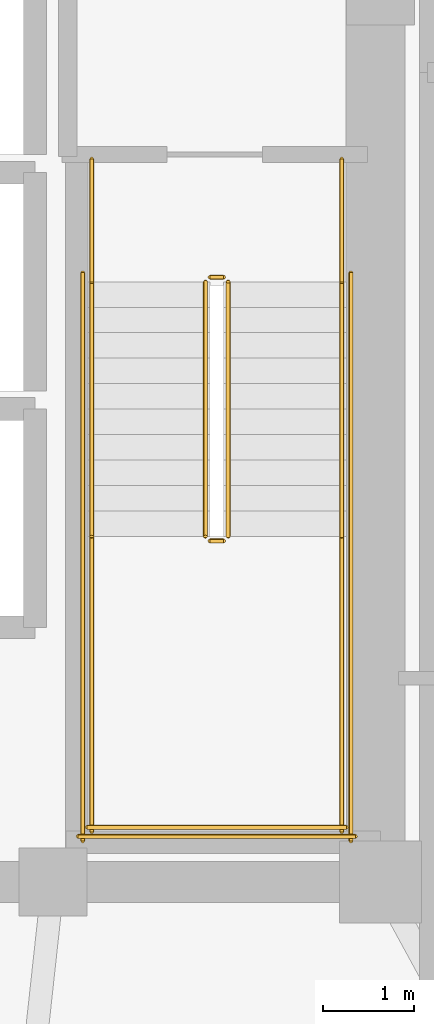
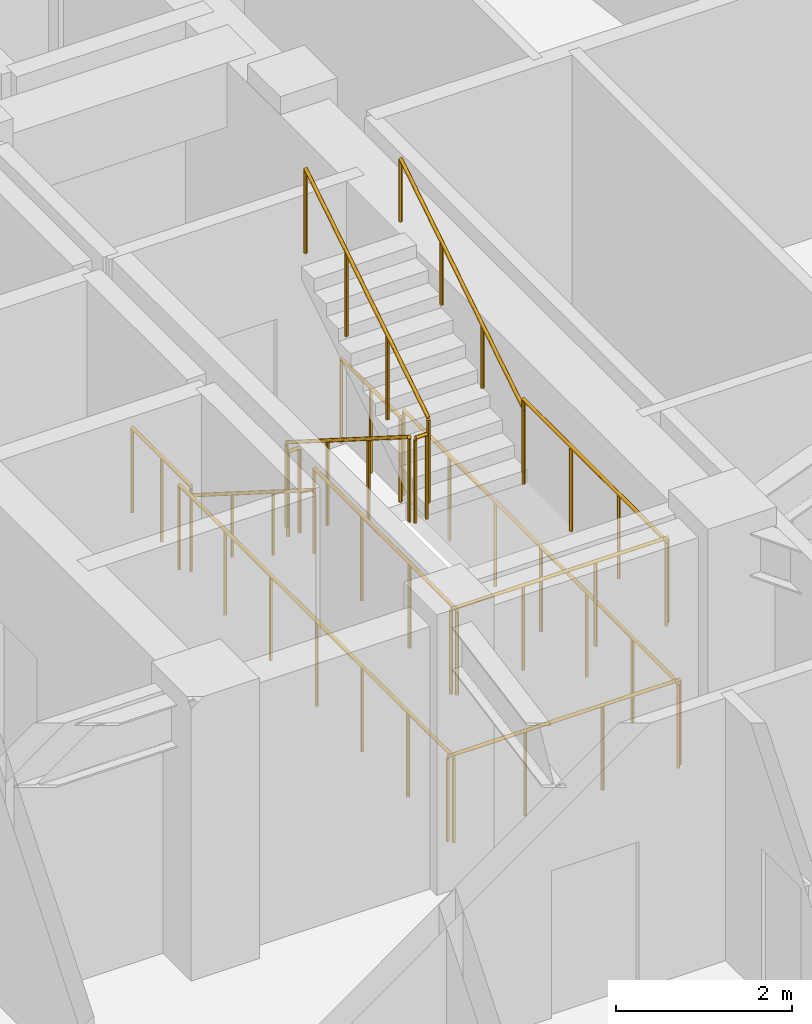
# One storey, part 11 of 11: 14 railings.
"""IFC4 building model written with IfcOpenShell, lengths in metres."""

from ifc_helpers import new_model, si_unit, direction, frame, origin, origin_2d, place, context, subcontext, project, spatial, circle, extrude, material, type_object, element, save


model = new_model("IFC4")

# Units and contexts
model_context = context("Model", 3, precision=1e-05, world=origin(), true_north=direction((0.0, 1.0)))
body_context = subcontext(model_context, "Body", "Model", "MODEL_VIEW")
ifc_project = project(units=[si_unit("LENGTHUNIT", "METRE"), si_unit("AREAUNIT", "SQUARE_METRE"), si_unit("VOLUMEUNIT", "CUBIC_METRE"), si_unit("PLANEANGLEUNIT", "RADIAN"), si_unit("MASSUNIT", "GRAM", prefix="KILO")], contexts=[model_context])

# Site, building, storey
site_placement = place(None, origin())
site = spatial("IfcSite", under=ifc_project, at=site_placement, CompositionType="ELEMENT")
building_placement = place(site_placement, origin())
building = spatial("IfcBuilding", under=site, at=building_placement, Name="Voryun Gate Residences", CompositionType="ELEMENT")
storey_placement = place(building_placement, frame((0.0, 0.0, 163.800048828125)))
storey = spatial("IfcBuildingStorey", under=building, at=storey_placement, Name="L40", CompositionType="ELEMENT", Elevation=163.800048828125)

# Railings
ifc_material_1 = material(Name="Painted steel", Category="steel")
railing_type_1 = type_object("IfcRailingType", Name="RAIL_STAIR_GUARD_1200", PredefinedType="GUARDRAIL", material=ifc_material_1)
railing_1_placement = place(storey_placement, frame((17.27490234375, -0.800048828125, 0.17724609375)))
element("IfcRailing", 1, at=railing_1_placement, inside=storey, type_object=railing_type_1, Name="L40 ST-E1 stair guard 1", PredefinedType="GUARDRAIL", context=body_context, shape_type="SweptSolid", body=[
    extrude(circle(Radius=0.02392578125, at=origin_2d()), frame((0.0, 0.0, 1.17578125), z_axis=(0.0, -0.844908973607, 0.534910110503), x_axis=(1.0, 0.0, 0.0)), (0.0, 0.0, 1.0), 3.31396484375),
    extrude(circle(Radius=0.02099609375, at=origin_2d()), origin(), (0.0, 0.0, 1.0), 1.15185546875),
    extrude(circle(Radius=0.02099609375, at=origin_2d()), frame((0.0, -0.933349609375, 0.5908203125)), (0.0, 0.0, 1.0), 1.15185546875),
    extrude(circle(Radius=0.02099609375, at=origin_2d()), frame((0.0, -1.86669921875, 1.181884765625)), (0.0, 0.0, 1.0), 1.15185546875),
    extrude(circle(Radius=0.02099609375, at=origin_2d()), frame((0.0, -2.800048828125, 1.772705078125)), (0.0, 0.0, 1.0), 1.15185546875),
])
railing_2_placement = place(storey_placement, frame((17.324951171875, -3.64990234375, 1.949951171875)))
element("IfcRailing", 2, at=railing_2_placement, inside=storey, type_object=railing_type_1, Name="L40 ST-E1 stair guard 2", PredefinedType="GUARDRAIL", context=body_context, shape_type="SweptSolid", body=[
    extrude(circle(Radius=0.02392578125, at=origin_2d()), frame((0.0, 0.0, 1.17578125), z_axis=(1.0, 0.0, 0.0), x_axis=(0.0, 1.0, 0.0)), (0.0, 0.0, 1.0), 0.150146484375),
    extrude(circle(Radius=0.02099609375, at=origin_2d()), origin(), (0.0, 0.0, 1.0), 1.15185546875),
    extrude(circle(Radius=0.02099609375, at=origin_2d()), frame((0.150146484375, 0.0, 0.0)), (0.0, 0.0, 1.0), 1.15185546875),
])
for number, where, name in (
    (3, (16.02490234375, -3.60009765625, 1.949951171875), "L40 ST-E1 stair guard 3"),
    (4, (18.77490234375, -3.60009765625, 1.949951171875), "L40 ST-E1 stair guard 4"),
):
    element("IfcRailing", number, at=place(storey_placement, frame(where)), inside=storey, type_object=railing_type_1, Name=name, PredefinedType="GUARDRAIL", context=body_context, shape_type="SweptSolid", body=[
        extrude(circle(Radius=0.02392578125, at=origin_2d()), frame((0.0, 0.0, 1.17578125), z_axis=(0.0, -1.0, 0.0), x_axis=(1.0, 0.0, 0.0)), (0.0, 0.0, 1.0), 3.25),
        extrude(circle(Radius=0.02099609375, at=origin_2d()), origin(), (0.0, 0.0, 1.0), 1.15185546875),
        extrude(circle(Radius=0.02099609375, at=origin_2d()), frame((0.0, -1.083251953125, 0.0)), (0.0, 0.0, 1.0), 1.15185546875),
        extrude(circle(Radius=0.02099609375, at=origin_2d()), frame((0.0, -2.166748046875, 0.0)), (0.0, 0.0, 1.0), 1.15185546875),
        extrude(circle(Radius=0.02099609375, at=origin_2d()), frame((0.0, -3.25, 0.0)), (0.0, 0.0, 1.0), 1.15185546875),
    ])
railing_3_placement = place(storey_placement, frame((15.97509765625, -6.800048828125, 1.949951171875)))
element("IfcRailing", 5, at=railing_3_placement, inside=storey, type_object=railing_type_1, Name="L40 ST-E1 stair guard 5", PredefinedType="GUARDRAIL", context=body_context, shape_type="SweptSolid", body=[
    extrude(circle(Radius=0.02392578125, at=origin_2d()), frame((0.0, 0.0, 1.17578125), z_axis=(1.0, 0.0, 0.0), x_axis=(0.0, 1.0, 0.0)), (0.0, 0.0, 1.0), 2.849853515625),
    extrude(circle(Radius=0.02099609375, at=origin_2d()), origin(), (0.0, 0.0, 1.0), 1.15185546875),
    extrude(circle(Radius=0.02099609375, at=origin_2d()), frame((0.949951171875, 0.0, 0.0)), (0.0, 0.0, 1.0), 1.15185546875),
    extrude(circle(Radius=0.02099609375, at=origin_2d()), frame((1.89990234375, 0.0, 0.0)), (0.0, 0.0, 1.0), 1.15185546875),
    extrude(circle(Radius=0.02099609375, at=origin_2d()), frame((2.849853515625, 0.0, 0.0)), (0.0, 0.0, 1.0), 1.15185546875),
])
railing_4_placement = place(storey_placement, frame((17.52490234375, -3.60009765625, 2.127197265625)))
element("IfcRailing", 6, at=railing_4_placement, inside=storey, type_object=railing_type_1, Name="L40 ST-E1 stair guard 6", PredefinedType="GUARDRAIL", context=body_context, shape_type="SweptSolid", body=[
    extrude(circle(Radius=0.02392578125, at=origin_2d()), frame((0.0, 0.0, 1.17578125), z_axis=(0.0, 0.844908973607, 0.534910110503), x_axis=(-1.0, 0.0, 0.0)), (0.0, 0.0, 1.0), 3.31396484375),
    extrude(circle(Radius=0.02099609375, at=origin_2d()), origin(), (0.0, 0.0, 1.0), 1.15185546875),
    extrude(circle(Radius=0.02099609375, at=origin_2d()), frame((0.0, 0.933349609375, 0.5908203125)), (0.0, 0.0, 1.0), 1.15185546875),
    extrude(circle(Radius=0.02099609375, at=origin_2d()), frame((0.0, 1.86669921875, 1.181884765625)), (0.0, 0.0, 1.0), 1.15185546875),
    extrude(circle(Radius=0.02099609375, at=origin_2d()), frame((0.0, 2.800048828125, 1.772705078125)), (0.0, 0.0, 1.0), 1.15185546875),
])
railing_5_placement = place(storey_placement, frame((17.324951171875, -0.75, 0.0)))
element("IfcRailing", 7, at=railing_5_placement, inside=storey, type_object=railing_type_1, Name="L40 ST-E1 stair guard 7", PredefinedType="GUARDRAIL", context=body_context, shape_type="SweptSolid", body=[
    extrude(circle(Radius=0.02392578125, at=origin_2d()), frame((0.0, 0.0, 1.17578125), z_axis=(1.0, 0.0, 0.0), x_axis=(0.0, 1.0, 0.0)), (0.0, 0.0, 1.0), 0.150146484375),
    extrude(circle(Radius=0.02099609375, at=origin_2d()), origin(), (0.0, 0.0, 1.0), 1.15185546875),
    extrude(circle(Radius=0.02099609375, at=origin_2d()), frame((0.150146484375, 0.0, 0.0)), (0.0, 0.0, 1.0), 1.15185546875),
])
for number, where, name in (
    (8, (16.02490234375, 0.550048828125, 0.0), "L40 ST-E1 stair guard 8"),
    (9, (18.77490234375, 0.550048828125, 0.0), "L40 ST-E1 stair guard 9"),
):
    element("IfcRailing", number, at=place(storey_placement, frame(where)), inside=storey, type_object=railing_type_1, Name=name, PredefinedType="GUARDRAIL", context=body_context, shape_type="SweptSolid", body=[
        extrude(circle(Radius=0.02392578125, at=origin_2d()), frame((0.0, 0.0, 1.17578125), z_axis=(0.0, -1.0, 0.0), x_axis=(1.0, 0.0, 0.0)), (0.0, 0.0, 1.0), 1.35009765625),
        extrude(circle(Radius=0.02099609375, at=origin_2d()), origin(), (0.0, 0.0, 1.0), 1.15185546875),
        extrude(circle(Radius=0.02099609375, at=origin_2d()), frame((0.0, -0.675048828125, 0.0)), (0.0, 0.0, 1.0), 1.15185546875),
        extrude(circle(Radius=0.02099609375, at=origin_2d()), frame((0.0, -1.35009765625, 0.0)), (0.0, 0.0, 1.0), 1.15185546875),
    ])
for number, where, name in (
    (10, (15.925048828125, -0.699951171875, 0.0), "L40 ST-E1 stair guard 10"),
    (11, (18.875, -0.699951171875, 0.0), "L40 ST-E1 stair guard 11"),
):
    element("IfcRailing", number, at=place(storey_placement, frame(where)), inside=storey, type_object=railing_type_1, Name=name, PredefinedType="GUARDRAIL", context=body_context, shape_type="SweptSolid", body=[
        extrude(circle(Radius=0.02392578125, at=origin_2d()), frame((0.0, 0.0, 1.17578125), z_axis=(0.0, -1.0, 0.0), x_axis=(1.0, 0.0, 0.0)), (0.0, 0.0, 1.0), 6.25),
        extrude(circle(Radius=0.02099609375, at=origin_2d()), origin(), (0.0, 0.0, 1.0), 1.15185546875),
        extrude(circle(Radius=0.02099609375, at=origin_2d()), frame((0.0, -1.041748046875, 0.0)), (0.0, 0.0, 1.0), 1.15185546875),
        extrude(circle(Radius=0.02099609375, at=origin_2d()), frame((0.0, -2.083251953125, 0.0)), (0.0, 0.0, 1.0), 1.15185546875),
        extrude(circle(Radius=0.02099609375, at=origin_2d()), frame((0.0, -3.125, 0.0)), (0.0, 0.0, 1.0), 1.15185546875),
        extrude(circle(Radius=0.02099609375, at=origin_2d()), frame((0.0, -4.166748046875, 0.0)), (0.0, 0.0, 1.0), 1.15185546875),
        extrude(circle(Radius=0.02099609375, at=origin_2d()), frame((0.0, -5.208251953125, 0.0)), (0.0, 0.0, 1.0), 1.15185546875),
        extrude(circle(Radius=0.02099609375, at=origin_2d()), frame((0.0, -6.25, 0.0)), (0.0, 0.0, 1.0), 1.15185546875),
    ])
railing_6_placement = place(storey_placement, frame((15.875, -6.89990234375, 0.0)))
element("IfcRailing", 12, at=railing_6_placement, inside=storey, type_object=railing_type_1, Name="L40 ST-E1 stair guard 12", PredefinedType="GUARDRAIL", context=body_context, shape_type="SweptSolid", body=[
    extrude(circle(Radius=0.02392578125, at=origin_2d()), frame((0.0, 0.0, 1.17578125), z_axis=(1.0, 0.0, 0.0), x_axis=(0.0, 1.0, 0.0)), (0.0, 0.0, 1.0), 3.050048828125),
    extrude(circle(Radius=0.02099609375, at=origin_2d()), origin(), (0.0, 0.0, 1.0), 1.15185546875),
    extrude(circle(Radius=0.02099609375, at=origin_2d()), frame((1.0166015625, 0.0, 0.0)), (0.0, 0.0, 1.0), 1.15185546875),
    extrude(circle(Radius=0.02099609375, at=origin_2d()), frame((2.033447265625, 0.0, 0.0)), (0.0, 0.0, 1.0), 1.15185546875),
    extrude(circle(Radius=0.02099609375, at=origin_2d()), frame((3.050048828125, 0.0, 0.0)), (0.0, 0.0, 1.0), 1.15185546875),
])
ifc_material_2 = material(Name="Painted steel", Category="steel")
railing_type_2 = type_object("IfcRailingType", Name="RAIL_STAIR_HANDRAIL_900", PredefinedType="HANDRAIL", material=ifc_material_2)
railing_7_placement = place(storey_placement, frame((16.02490234375, -0.800048828125, 0.17724609375)))
element("IfcRailing", 13, at=railing_7_placement, inside=storey, type_object=railing_type_2, Name="L40 ST-E1 stair handrail 1", PredefinedType="HANDRAIL", context=body_context, shape_type="SweptSolid", body=[
    extrude(circle(Radius=0.02392578125, at=origin_2d()), frame((0.0, 0.0, 0.8759765625), z_axis=(0.0, -0.844908973607, 0.534910110503), x_axis=(1.0, 0.0, 0.0)), (0.0, 0.0, 1.0), 3.31396484375),
    extrude(circle(Radius=0.02099609375, at=origin_2d()), origin(), (0.0, 0.0, 1.0), 0.851806640625),
    extrude(circle(Radius=0.02099609375, at=origin_2d()), frame((0.0, -0.933349609375, 0.5908203125)), (0.0, 0.0, 1.0), 0.851806640625),
    extrude(circle(Radius=0.02099609375, at=origin_2d()), frame((0.0, -1.86669921875, 1.181884765625)), (0.0, 0.0, 1.0), 0.851806640625),
    extrude(circle(Radius=0.02099609375, at=origin_2d()), frame((0.0, -2.800048828125, 1.772705078125)), (0.0, 0.0, 1.0), 0.851806640625),
])
railing_8_placement = place(storey_placement, frame((18.77490234375, -3.60009765625, 2.127197265625)))
element("IfcRailing", 14, at=railing_8_placement, inside=storey, type_object=railing_type_2, Name="L40 ST-E1 stair handrail 2", PredefinedType="HANDRAIL", context=body_context, shape_type="SweptSolid", body=[
    extrude(circle(Radius=0.02392578125, at=origin_2d()), frame((0.0, 0.0, 0.8759765625), z_axis=(0.0, 0.844908973607, 0.534910110503), x_axis=(-1.0, 0.0, 0.0)), (0.0, 0.0, 1.0), 3.31396484375),
    extrude(circle(Radius=0.02099609375, at=origin_2d()), origin(), (0.0, 0.0, 1.0), 0.851806640625),
    extrude(circle(Radius=0.02099609375, at=origin_2d()), frame((0.0, 0.933349609375, 0.5908203125)), (0.0, 0.0, 1.0), 0.851806640625),
    extrude(circle(Radius=0.02099609375, at=origin_2d()), frame((0.0, 1.86669921875, 1.181884765625)), (0.0, 0.0, 1.0), 0.851806640625),
    extrude(circle(Radius=0.02099609375, at=origin_2d()), frame((0.0, 2.800048828125, 1.772705078125)), (0.0, 0.0, 1.0), 0.851806640625),
])

save(model, "model.ifc")
